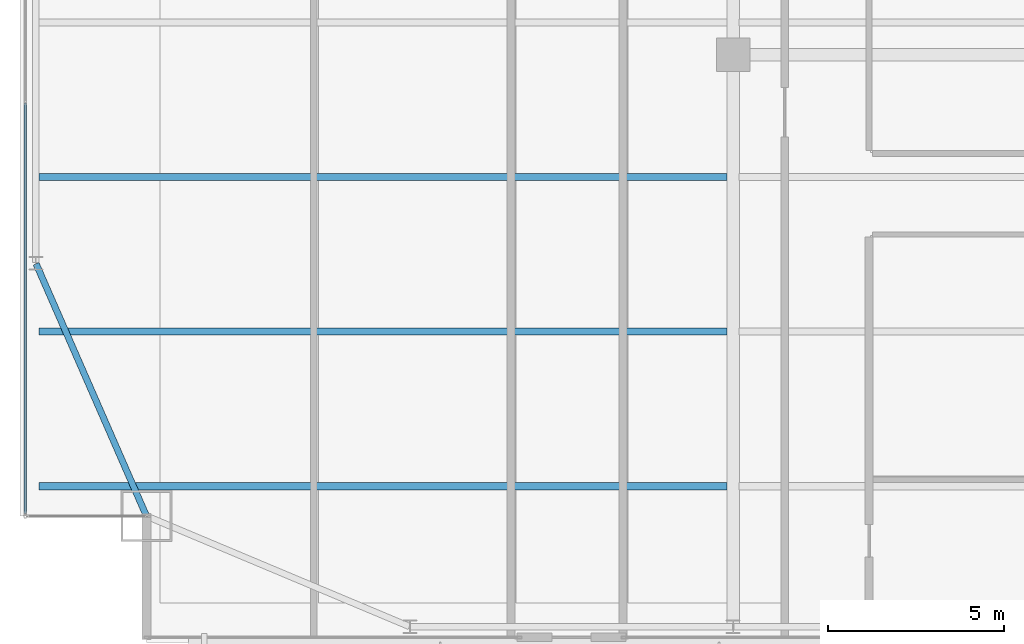
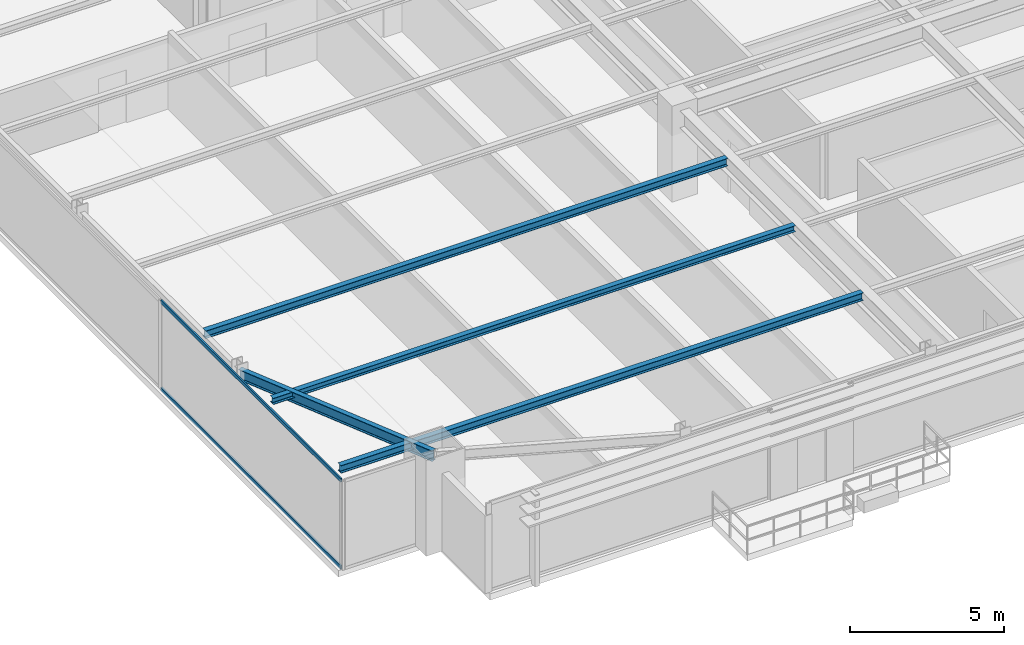
# One storey, part 5 of 31: 4 beams, 2 members, 1 element without a shape of its own.
"""IFC4 building model written with IfcOpenShell, lengths in metres."""

from ifc_helpers import new_model, si_unit, direction, frame, origin, origin_2d, place, context, subcontext, project, spatial, hollow_rectangle, i_section, extrude, source, transform, mapped, material, layer, layer_set, material_profile, profile_set, type_object, type_shapes, element, aggregate, save


model = new_model("IFC4")

# Units and contexts
model_context = context("Model", 3, precision=1e-05, world=origin(), true_north=direction((0.0, 1.0)))
body_context = subcontext(model_context, "Body", "Model", "MODEL_VIEW")
ifc_project = project(units=[si_unit("LENGTHUNIT", "METRE"), si_unit("AREAUNIT", "SQUARE_METRE"), si_unit("VOLUMEUNIT", "CUBIC_METRE"), si_unit("PLANEANGLEUNIT", "RADIAN"), si_unit("MASSUNIT", "GRAM", prefix="KILO")], contexts=[model_context])

# Site, building, storey
site_placement = place(None, origin())
site = spatial("IfcSite", under=ifc_project, at=site_placement, CompositionType="ELEMENT")
building_placement = place(site_placement, origin())
building = spatial("IfcBuilding", under=site, at=building_placement, Name="Varnel Quay Broadcast Tower", CompositionType="ELEMENT")
storey_placement = place(building_placement, frame((0.0, 0.0, 94.60009765625)))
storey = spatial("IfcBuildingStorey", under=building, at=storey_placement, Name="L22", CompositionType="ELEMENT", Elevation=94.60009765625)

# Beams
ifc_material_1 = material(Name="Structural Steel CSA G40.21 350W", Category="steel")
ifc_material_profile_1 = material_profile(ifc_material_1, i_section(OverallWidth=0.180908203125, OverallDepth=0.4169921875, WebThickness=0.010986328125, FlangeThickness=0.018310546875, FilletRadius=0.011962890625, at=origin_2d()), Name="W410X85")
ifc_profile_set_1 = profile_set([ifc_material_profile_1], Name="Structural Steel CSA G40.21 350W")
beam_type_1 = type_object("IfcBeamType", Name="Beam_W410X85", PredefinedType="SPANDREL", material=ifc_profile_set_1)
shared_shape_1 = source(origin(), body_context, "Body", "SweptSolid", [
    extrude(i_section(OverallWidth=0.180908203125, OverallDepth=0.4169921875, WebThickness=0.010986328125, FlangeThickness=0.018310546875, FilletRadius=0.011962890625, at=origin_2d()), origin(), (0.0, 0.0, 1.0), 7.81884765625),
])
type_shapes(beam_type_1, [shared_shape_1])
beam_1_placement = place(storey_placement, frame((8.092041015625, 7.818359375, 3.3115234375), z_axis=(-0.400827023998, 0.916153751743, 0.0), x_axis=(-0.916153751743, -0.400827023998, 0.0)))
element("IfcBeam", 1, at=beam_1_placement, inside=storey, type_object=beam_type_1, Name="L22 West Spandrel MC-SW-TC-W1", PredefinedType="SPANDREL", context=body_context, shape_type="MappedRepresentation", body=[
    mapped(shared_shape_1, transform((0.0, 0.0, 0.0), x_axis=(1.0, 0.0, 0.0), y_axis=(0.0, 1.0, 0.0), z_axis=(0.0, 0.0, 1.0), scale=1.0)),
])
ifc_material_profile_2 = material_profile(ifc_material_1, i_section(OverallWidth=0.202880859375, OverallDepth=0.302978515625, WebThickness=0.007568359375, FlangeThickness=0.01318359375, FilletRadius=0.011962890625, at=origin_2d()), Name="W310X60")
ifc_profile_set_2 = profile_set([ifc_material_profile_2], Name="Structural Steel CSA G40.21 350W")
beam_type_2 = type_object("IfcBeamType", Name="Beam_W310X60", PredefinedType="JOIST", material=ifc_profile_set_2)
shared_shape_2 = source(origin(), body_context, "Body", "SweptSolid", [
    extrude(i_section(OverallWidth=0.202880859375, OverallDepth=0.302978515625, WebThickness=0.007568359375, FlangeThickness=0.01318359375, FilletRadius=0.011962890625, at=origin_2d()), origin(), (0.0, 0.0, 1.0), 19.592041015625),
])
type_shapes(beam_type_2, [shared_shape_2])
for number, where, z_axis, x_axis, name in (
    (2, (5.035400390625, 8.64990234375, 3.368408203125), (1.0, 0.0, 0.0), (0.0, 1.0, 0.0), "L22 West Floor Joist 1"),
    (3, (5.035400390625, 17.449951171875, 3.368408203125), (1.0, 0.0, 0.0), (0.0, 1.0, 0.0), "L22 West Floor Joist 3"),
):
    element("IfcBeam", number, at=place(storey_placement, frame(where, z_axis=z_axis, x_axis=x_axis)), inside=storey, type_object=beam_type_2, Name=name, PredefinedType="JOIST", context=body_context, shape_type="MappedRepresentation", body=[
        mapped(shared_shape_2, transform((0.0, 0.0, 0.0), x_axis=(1.0, 0.0, 0.0), y_axis=(0.0, 1.0, 0.0), z_axis=(0.0, 0.0, 1.0), scale=1.0)),
    ])
ifc_material_profile_3 = material_profile(ifc_material_1, i_section(OverallWidth=0.201904296875, OverallDepth=0.2470703125, WebThickness=0.00732421875, FlangeThickness=0.010986328125, FilletRadius=0.010986328125, at=origin_2d()), Name="W250X49")
ifc_profile_set_3 = profile_set([ifc_material_profile_3], Name="Structural Steel CSA G40.21 350W")
beam_type_3 = type_object("IfcBeamType", Name="Beam_W250X49", PredefinedType="JOIST", material=ifc_profile_set_3)
shared_shape_3 = source(origin(), body_context, "Body", "SweptSolid", [
    extrude(i_section(OverallWidth=0.201904296875, OverallDepth=0.2470703125, WebThickness=0.00732421875, FlangeThickness=0.010986328125, FilletRadius=0.010986328125, at=origin_2d()), origin(), (0.0, 0.0, 1.0), 19.592041015625),
])
type_shapes(beam_type_3, [shared_shape_3])
beam_2_placement = place(storey_placement, frame((5.035400390625, 13.050048828125, 3.396484375), z_axis=(1.0, 0.0, 0.0), x_axis=(0.0, 1.0, 0.0)))
element("IfcBeam", 4, at=beam_2_placement, inside=storey, type_object=beam_type_3, Name="L22 West Floor Joist 2", PredefinedType="JOIST", context=body_context, shape_type="MappedRepresentation", body=[
    mapped(shared_shape_3, transform((0.0, 0.0, 0.0), x_axis=(1.0, 0.0, 0.0), y_axis=(0.0, 1.0, 0.0), z_axis=(0.0, 0.0, 1.0), scale=1.0)),
])

# Curtain wall, members
ifc_material_2 = material(Name="Anodised Bronze Aluminium 6063-T6", Category="aluminium")
ifc_layer = layer(ifc_material_2, 0.18994140625, Name="Anodised Bronze Aluminium 6063-T6")
ifc_layer_set = layer_set([ifc_layer], Name="Anodised Bronze Aluminium 6063-T6")
curtain_wall_type = type_object("IfcCurtainWallType", Name="CW_LowerTower", PredefinedType="NOTDEFINED", material=ifc_layer_set)
curtain_wall_placement = place(storey_placement, origin())
curtain_wall = element("IfcCurtainWall", 5, at=curtain_wall_placement, inside=storey, type_object=curtain_wall_type, Name="L22 West Unitised Curtain Wall", PredefinedType="NOTDEFINED")
ifc_material_profile_4 = material_profile(ifc_material_2, hollow_rectangle(XDim=0.06005859375, YDim=0.14501953125, WallThickness=0.00341796875, at=origin_2d()), Name="ALU60X145X3.5")
ifc_profile_set_4 = profile_set([ifc_material_profile_4], Name="Anodised Bronze Aluminium 6063-T6")
member_type = type_object("IfcMemberType", Name="Tran_CWS-02", PredefinedType="USERDEFINED", material=ifc_profile_set_4)
shared_shape_4 = source(origin(), body_context, "Body", "SweptSolid", [
    extrude(hollow_rectangle(XDim=0.06005859375, YDim=0.14501953125, WallThickness=0.00341796875, at=origin_2d()), origin(), (0.0, 0.0, 1.0), 11.69482421875),
])
type_shapes(member_type, [shared_shape_4])
member_1_placement = place(storey_placement, frame((4.64990234375, 7.8701171875, 0.02978515625), z_axis=(0.0, 1.0, 0.0), x_axis=(-1.0, 0.0, 0.0)))
member_1 = element("IfcMember", 6, at=member_1_placement, type_object=member_type, Name="CWS-02 transom 1.1", ObjectType="TRANSOM", PredefinedType="USERDEFINED", context=body_context, shape_type="MappedRepresentation", body=[
    mapped(shared_shape_4, transform((0.0, 0.0, 0.0), x_axis=(1.0, 0.0, 0.0), y_axis=(0.0, 1.0, 0.0), z_axis=(0.0, 0.0, 1.0), scale=1.0)),
])
member_2_placement = place(storey_placement, frame((4.64990234375, 7.8701171875, 3.489990234375), z_axis=(0.0, 1.0, 0.0), x_axis=(-1.0, 0.0, 0.0)))
member_2 = element("IfcMember", 7, at=member_2_placement, type_object=member_type, Name="CWS-02 transom 1.2", ObjectType="TRANSOM", PredefinedType="USERDEFINED", context=body_context, shape_type="MappedRepresentation", body=[
    mapped(shared_shape_4, transform((0.0, 0.0, 0.0), x_axis=(1.0, 0.0, 0.0), y_axis=(0.0, 1.0, 0.0), z_axis=(0.0, 0.0, 1.0), scale=1.0)),
])
aggregate(curtain_wall, [member_1, member_2])

save(model, "model.ifc")
